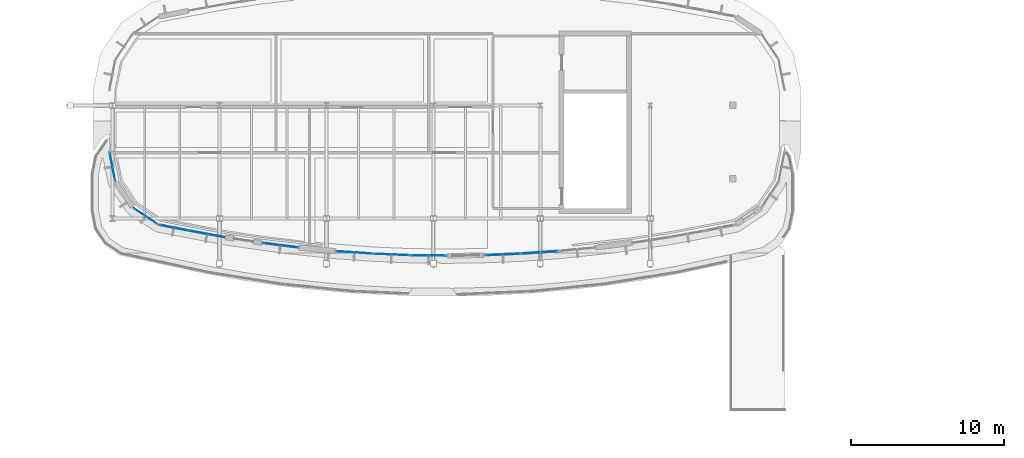
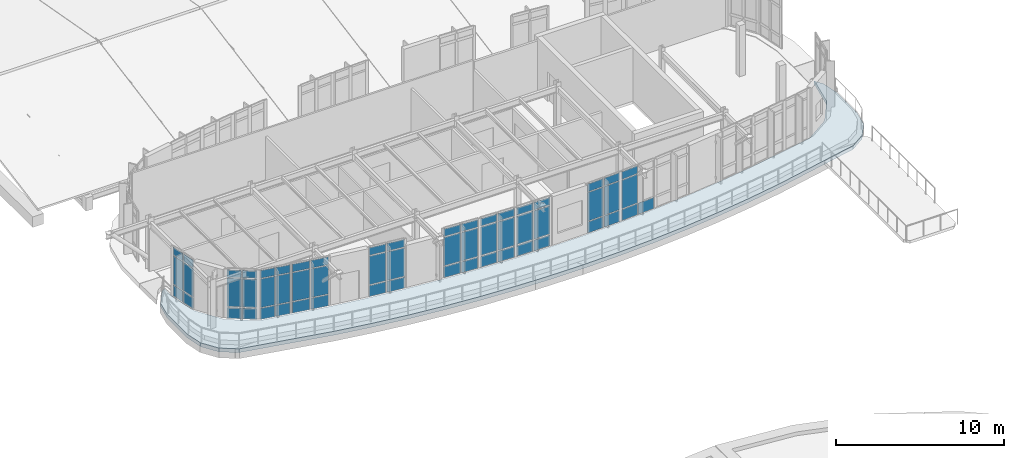
# One storey, part 66 of 105: 58 plates, 1 slab, 10 elements without a shape of their own.
"""IFC4 building model written with IfcOpenShell, lengths in metres."""

from ifc_helpers import new_model, si_unit, direction, frame, origin, origin_2d, place, context, subcontext, project, spatial, polyline, rectangle, outline, extrude, material, layer, layer_set, type_object, element, aggregate, save


model = new_model("IFC4")

# Units and contexts
model_context = context("Model", 3, precision=1e-05, world=origin(), true_north=direction((0.0, 1.0)))
body_context = subcontext(model_context, "Body", "Model", "MODEL_VIEW")
ifc_project = project(units=[si_unit("LENGTHUNIT", "METRE"), si_unit("AREAUNIT", "SQUARE_METRE"), si_unit("VOLUMEUNIT", "CUBIC_METRE"), si_unit("PLANEANGLEUNIT", "RADIAN"), si_unit("MASSUNIT", "GRAM", prefix="KILO")], contexts=[model_context])

# Site, building, storey
site_placement = place(None, origin())
site = spatial("IfcSite", under=ifc_project, at=site_placement, CompositionType="ELEMENT")
building_placement = place(site_placement, origin())
building = spatial("IfcBuilding", under=site, at=building_placement, Name="Corveleigh Park Community Centre", CompositionType="ELEMENT")
storey_placement = place(building_placement, frame((0.0, 0.0, 8.699951171875)))
storey = spatial("IfcBuildingStorey", under=building, at=storey_placement, Name="L02", CompositionType="ELEMENT", Elevation=8.699951171875)

# Curtain wall, plates
ifc_material_1 = material(Name="Anodised aluminium 6063-T6", Category="aluminium")
curtain_wall_type = type_object("IfcCurtainWallType", Name="CW-SYS-V2-HALL", PredefinedType="NOTDEFINED", material=ifc_material_1)
curtain_wall_1_placement = place(storey_placement, origin())
curtain_wall_1 = element("IfcCurtainWall", 1, at=curtain_wall_1_placement, inside=storey, type_object=curtain_wall_type, Name="V2 L02 Curtain Wall 301", PredefinedType="NOTDEFINED")
ifc_material_2 = material(Name="Low-E double glazing", Category="glass")
ifc_layer_1 = layer(ifc_material_2, 0.02392578125, Name="Low-E double glazing", Category="glass")
ifc_layer_set_1 = layer_set([ifc_layer_1], Name="Low-E double glazing")
plate_type_1 = type_object("IfcPlateType", Name="CWP-GLZ-24", PredefinedType="CURTAIN_PANEL", material=ifc_layer_set_1)
plate_1_placement = place(storey_placement, frame((17.959228515625, 76.87841796875, 0.06005859375), z_axis=(0.0, 0.0, 1.0), x_axis=(-0.983942713081, 0.178484557805, 0.0)))
plate_1 = element("IfcPlate", 2, at=plate_1_placement, type_object=plate_type_1, Name="CW04 panel 1.1", PredefinedType="CURTAIN_PANEL", context=body_context, shape_type="SweptSolid", body=[
    extrude(rectangle(XDim=1.117431640625, YDim=0.02392578125, at=origin_2d()), origin(), (0.0, 0.0, 1.0), 0.81005859375),
])
plate_2_placement = place(storey_placement, frame((17.959228515625, 76.87841796875, 0.93017578125), z_axis=(0.0, 0.0, 1.0), x_axis=(-0.983942713081, 0.178484557805, 0.0)))
plate_2 = element("IfcPlate", 3, at=plate_2_placement, type_object=plate_type_1, Name="CW04 panel 1.2", PredefinedType="CURTAIN_PANEL", context=body_context, shape_type="SweptSolid", body=[
    extrude(rectangle(XDim=1.117431640625, YDim=0.02392578125, at=origin_2d()), origin(), (0.0, 0.0, 1.0), 2.070068359375),
])
plate_3_placement = place(storey_placement, frame((17.959228515625, 76.87841796875, 3.06005859375), z_axis=(0.0, 0.0, 1.0), x_axis=(-0.983942713081, 0.178484557805, 0.0)))
plate_3 = element("IfcPlate", 4, at=plate_3_placement, type_object=plate_type_1, Name="CW04 panel 1.3", PredefinedType="CURTAIN_PANEL", context=body_context, shape_type="SweptSolid", body=[
    extrude(rectangle(XDim=1.117431640625, YDim=0.02392578125, at=origin_2d()), origin(), (0.0, 0.0, 1.0), 0.56005859375),
])
plate_4_placement = place(storey_placement, frame((16.80078125, 77.088623046875, 0.06005859375), z_axis=(0.0, 0.0, 1.0), x_axis=(-0.983942713081, 0.178484557805, 0.0)))
plate_4 = element("IfcPlate", 5, at=plate_4_placement, type_object=plate_type_1, Name="CW04 panel 2.1", PredefinedType="CURTAIN_PANEL", context=body_context, shape_type="SweptSolid", body=[
    extrude(rectangle(XDim=1.117431640625, YDim=0.02392578125, at=origin_2d()), origin(), (0.0, 0.0, 1.0), 0.81005859375),
])
plate_5_placement = place(storey_placement, frame((16.80078125, 77.088623046875, 0.93017578125), z_axis=(0.0, 0.0, 1.0), x_axis=(-0.983942713081, 0.178484557805, 0.0)))
plate_5 = element("IfcPlate", 6, at=plate_5_placement, type_object=plate_type_1, Name="CW04 panel 2.2", PredefinedType="CURTAIN_PANEL", context=body_context, shape_type="SweptSolid", body=[
    extrude(rectangle(XDim=1.117431640625, YDim=0.02392578125, at=origin_2d()), origin(), (0.0, 0.0, 1.0), 2.070068359375),
])
plate_6_placement = place(storey_placement, frame((16.80078125, 77.088623046875, 3.06005859375), z_axis=(0.0, 0.0, 1.0), x_axis=(-0.983942713081, 0.178484557805, 0.0)))
plate_6 = element("IfcPlate", 7, at=plate_6_placement, type_object=plate_type_1, Name="CW04 panel 2.3", PredefinedType="CURTAIN_PANEL", context=body_context, shape_type="SweptSolid", body=[
    extrude(rectangle(XDim=1.117431640625, YDim=0.02392578125, at=origin_2d()), origin(), (0.0, 0.0, 1.0), 0.56005859375),
])
aggregate(curtain_wall_1, [plate_1, plate_2, plate_3, plate_4, plate_5, plate_6])

curtain_wall_2_placement = place(storey_placement, origin())
curtain_wall_2 = element("IfcCurtainWall", 8, at=curtain_wall_2_placement, inside=storey, type_object=curtain_wall_type, Name="V2 L02 Curtain Wall 302", PredefinedType="NOTDEFINED")
plate_7_placement = place(storey_placement, frame((22.76904296875, 76.174072265625, 0.06494140625), z_axis=(0.0, 0.0, 1.0), x_axis=(-0.99224597481, 0.124289683694, 0.0)))
plate_7 = element("IfcPlate", 9, at=plate_7_placement, type_object=plate_type_1, Name="CW04 panel 1.1", PredefinedType="CURTAIN_PANEL", context=body_context, shape_type="SweptSolid", body=[
    extrude(rectangle(XDim=1.109375, YDim=0.02392578125, at=origin_2d()), origin(), (0.0, 0.0, 1.0), 0.802490234375),
])
plate_8_placement = place(storey_placement, frame((22.76904296875, 76.174072265625, 0.9326171875), z_axis=(0.0, 0.0, 1.0), x_axis=(-0.99224597481, 0.124289683694, 0.0)))
plate_8 = element("IfcPlate", 10, at=plate_8_placement, type_object=plate_type_1, Name="CW04 panel 1.2", PredefinedType="CURTAIN_PANEL", context=body_context, shape_type="SweptSolid", body=[
    extrude(rectangle(XDim=1.109375, YDim=0.02392578125, at=origin_2d()), origin(), (0.0, 0.0, 1.0), 2.06494140625),
])
plate_9_placement = place(storey_placement, frame((22.76904296875, 76.174072265625, 3.0625), z_axis=(0.0, 0.0, 1.0), x_axis=(-0.99224597481, 0.124289683694, 0.0)))
plate_9 = element("IfcPlate", 11, at=plate_9_placement, type_object=plate_type_1, Name="CW04 panel 1.3", PredefinedType="CURTAIN_PANEL", context=body_context, shape_type="SweptSolid", body=[
    extrude(rectangle(XDim=1.109375, YDim=0.02392578125, at=origin_2d()), origin(), (0.0, 0.0, 1.0), 0.552490234375),
])
plate_10_placement = place(storey_placement, frame((21.603759765625, 76.320068359375, 0.06494140625), z_axis=(0.0, 0.0, 1.0), x_axis=(-0.99224597481, 0.124289683694, 0.0)))
plate_10 = element("IfcPlate", 12, at=plate_10_placement, type_object=plate_type_1, Name="CW04 panel 2.1", PredefinedType="CURTAIN_PANEL", context=body_context, shape_type="SweptSolid", body=[
    extrude(rectangle(XDim=1.109375, YDim=0.02392578125, at=origin_2d()), origin(), (0.0, 0.0, 1.0), 0.802490234375),
])
plate_11_placement = place(storey_placement, frame((21.603759765625, 76.320068359375, 0.9326171875), z_axis=(0.0, 0.0, 1.0), x_axis=(-0.99224597481, 0.124289683694, 0.0)))
plate_11 = element("IfcPlate", 13, at=plate_11_placement, type_object=plate_type_1, Name="CW04 panel 2.2", PredefinedType="CURTAIN_PANEL", context=body_context, shape_type="SweptSolid", body=[
    extrude(rectangle(XDim=1.109375, YDim=0.02392578125, at=origin_2d()), origin(), (0.0, 0.0, 1.0), 2.06494140625),
])
plate_12_placement = place(storey_placement, frame((21.603759765625, 76.320068359375, 3.0625), z_axis=(0.0, 0.0, 1.0), x_axis=(-0.99224597481, 0.124289683694, 0.0)))
plate_12 = element("IfcPlate", 14, at=plate_12_placement, type_object=plate_type_1, Name="CW04 panel 2.3", PredefinedType="CURTAIN_PANEL", context=body_context, shape_type="SweptSolid", body=[
    extrude(rectangle(XDim=1.109375, YDim=0.02392578125, at=origin_2d()), origin(), (0.0, 0.0, 1.0), 0.552490234375),
])
aggregate(curtain_wall_2, [plate_7, plate_8, plate_9, plate_10, plate_11, plate_12])

curtain_wall_3_placement = place(storey_placement, origin())
curtain_wall_3 = element("IfcCurtainWall", 15, at=curtain_wall_3_placement, inside=storey, type_object=curtain_wall_type, Name="V2 L02 Curtain Wall 303", PredefinedType="NOTDEFINED")
ifc_layer_2 = layer(ifc_material_2, 0.028076171875, Name="Low-E double glazing", Category="glass")
ifc_layer_set_2 = layer_set([ifc_layer_2], Name="Low-E double glazing")
plate_type_2 = type_object("IfcPlateType", Name="CWP-GLZ-28", PredefinedType="CURTAIN_PANEL", material=ifc_layer_set_2)
plate_13_placement = place(storey_placement, frame((27.610595703125, 75.73779296875, 0.070068359375), z_axis=(0.0, 0.0, 1.0), x_axis=(-0.997632289197, 0.068773654486, 0.0)))
plate_13 = element("IfcPlate", 16, at=plate_13_placement, type_object=plate_type_2, Name="CW04 panel 1.1", PredefinedType="CURTAIN_PANEL", context=body_context, shape_type="SweptSolid", body=[
    extrude(rectangle(XDim=1.101806640625, YDim=0.028076171875, at=origin_2d()), origin(), (0.0, 0.0, 1.0), 0.794921875),
])
plate_14_placement = place(storey_placement, frame((27.610595703125, 75.73779296875, 0.93505859375), z_axis=(0.0, 0.0, 1.0), x_axis=(-0.997632289197, 0.068773654486, 0.0)))
plate_14 = element("IfcPlate", 17, at=plate_14_placement, type_object=plate_type_2, Name="CW04 panel 1.2", PredefinedType="CURTAIN_PANEL", context=body_context, shape_type="SweptSolid", body=[
    extrude(rectangle(XDim=1.101806640625, YDim=0.028076171875, at=origin_2d()), origin(), (0.0, 0.0, 1.0), 2.06005859375),
])
plate_15_placement = place(storey_placement, frame((27.610595703125, 75.73779296875, 3.065185546875), z_axis=(0.0, 0.0, 1.0), x_axis=(-0.997632289197, 0.068773654486, 0.0)))
plate_15 = element("IfcPlate", 18, at=plate_15_placement, type_object=plate_type_2, Name="CW04 panel 1.3", PredefinedType="CURTAIN_PANEL", context=body_context, shape_type="SweptSolid", body=[
    extrude(rectangle(XDim=1.101806640625, YDim=0.028076171875, at=origin_2d()), origin(), (0.0, 0.0, 1.0), 0.544921875),
])
plate_16_placement = place(storey_placement, frame((26.44140625, 75.818359375, 0.070068359375), z_axis=(0.0, 0.0, 1.0), x_axis=(-0.997632289197, 0.068773654486, 0.0)))
plate_16 = element("IfcPlate", 19, at=plate_16_placement, type_object=plate_type_2, Name="CW04 panel 2.1", PredefinedType="CURTAIN_PANEL", context=body_context, shape_type="SweptSolid", body=[
    extrude(rectangle(XDim=1.101806640625, YDim=0.028076171875, at=origin_2d()), origin(), (0.0, 0.0, 1.0), 0.794921875),
])
plate_17_placement = place(storey_placement, frame((26.44140625, 75.818359375, 0.93505859375), z_axis=(0.0, 0.0, 1.0), x_axis=(-0.997632289197, 0.068773654486, 0.0)))
plate_17 = element("IfcPlate", 20, at=plate_17_placement, type_object=plate_type_2, Name="CW04 panel 2.2", PredefinedType="CURTAIN_PANEL", context=body_context, shape_type="SweptSolid", body=[
    extrude(rectangle(XDim=1.101806640625, YDim=0.028076171875, at=origin_2d()), origin(), (0.0, 0.0, 1.0), 2.06005859375),
])
plate_18_placement = place(storey_placement, frame((26.44140625, 75.818359375, 3.065185546875), z_axis=(0.0, 0.0, 1.0), x_axis=(-0.997632289197, 0.068773654486, 0.0)))
plate_18 = element("IfcPlate", 21, at=plate_18_placement, type_object=plate_type_2, Name="CW04 panel 2.3", PredefinedType="CURTAIN_PANEL", context=body_context, shape_type="SweptSolid", body=[
    extrude(rectangle(XDim=1.101806640625, YDim=0.028076171875, at=origin_2d()), origin(), (0.0, 0.0, 1.0), 0.544921875),
])
aggregate(curtain_wall_3, [plate_13, plate_14, plate_15, plate_16, plate_17, plate_18])

curtain_wall_4_placement = place(storey_placement, origin())
curtain_wall_4 = element("IfcCurtainWall", 22, at=curtain_wall_4_placement, inside=storey, type_object=curtain_wall_type, Name="V2 L02 Curtain Wall 304", PredefinedType="NOTDEFINED")
plate_19_placement = place(storey_placement, frame((30.038330078125, 75.619140625, 0.074951171875), z_axis=(0.0, 0.0, 1.0), x_axis=(-0.99912443685, 0.041837300215, 0.0)))
plate_19 = element("IfcPlate", 23, at=plate_19_placement, type_object=plate_type_2, Name="CW04 panel 1.1", PredefinedType="CURTAIN_PANEL", context=body_context, shape_type="SweptSolid", body=[
    extrude(rectangle(XDim=1.094482421875, YDim=0.028076171875, at=origin_2d()), origin(), (0.0, 0.0, 1.0), 0.78759765625),
])
plate_20_placement = place(storey_placement, frame((30.038330078125, 75.619140625, 0.9375), z_axis=(0.0, 0.0, 1.0), x_axis=(-0.99912443685, 0.041837300215, 0.0)))
plate_20 = element("IfcPlate", 24, at=plate_20_placement, type_object=plate_type_2, Name="CW04 panel 1.2", PredefinedType="CURTAIN_PANEL", context=body_context, shape_type="SweptSolid", body=[
    extrude(rectangle(XDim=1.094482421875, YDim=0.028076171875, at=origin_2d()), origin(), (0.0, 0.0, 1.0), 2.054931640625),
])
plate_21_placement = place(storey_placement, frame((30.038330078125, 75.619140625, 3.0673828125), z_axis=(0.0, 0.0, 1.0), x_axis=(-0.99912443685, 0.041837300215, 0.0)))
plate_21 = element("IfcPlate", 25, at=plate_21_placement, type_object=plate_type_2, Name="CW04 panel 1.3", PredefinedType="CURTAIN_PANEL", context=body_context, shape_type="SweptSolid", body=[
    extrude(rectangle(XDim=1.094482421875, YDim=0.028076171875, at=origin_2d()), origin(), (0.0, 0.0, 1.0), 0.53759765625),
])
plate_22_placement = place(storey_placement, frame((28.86962890625, 75.66796875, 0.074951171875), z_axis=(0.0, 0.0, 1.0), x_axis=(-0.99912443685, 0.041837300215, 0.0)))
plate_22 = element("IfcPlate", 26, at=plate_22_placement, type_object=plate_type_2, Name="CW04 panel 2.1", PredefinedType="CURTAIN_PANEL", context=body_context, shape_type="SweptSolid", body=[
    extrude(rectangle(XDim=1.094482421875, YDim=0.028076171875, at=origin_2d()), origin(), (0.0, 0.0, 1.0), 0.78759765625),
])
plate_23_placement = place(storey_placement, frame((28.86962890625, 75.66796875, 0.9375), z_axis=(0.0, 0.0, 1.0), x_axis=(-0.99912443685, 0.041837300215, 0.0)))
plate_23 = element("IfcPlate", 27, at=plate_23_placement, type_object=plate_type_2, Name="CW04 panel 2.2", PredefinedType="CURTAIN_PANEL", context=body_context, shape_type="SweptSolid", body=[
    extrude(rectangle(XDim=1.094482421875, YDim=0.028076171875, at=origin_2d()), origin(), (0.0, 0.0, 1.0), 2.054931640625),
])
plate_24_placement = place(storey_placement, frame((28.86962890625, 75.66796875, 3.0673828125), z_axis=(0.0, 0.0, 1.0), x_axis=(-0.99912443685, 0.041837300215, 0.0)))
plate_24 = element("IfcPlate", 28, at=plate_24_placement, type_object=plate_type_2, Name="CW04 panel 2.3", PredefinedType="CURTAIN_PANEL", context=body_context, shape_type="SweptSolid", body=[
    extrude(rectangle(XDim=1.094482421875, YDim=0.028076171875, at=origin_2d()), origin(), (0.0, 0.0, 1.0), 0.53759765625),
])
aggregate(curtain_wall_4, [plate_19, plate_20, plate_21, plate_22, plate_23, plate_24])

curtain_wall_5_placement = place(storey_placement, origin())
curtain_wall_5 = element("IfcCurtainWall", 29, at=curtain_wall_5_placement, inside=storey, type_object=curtain_wall_type, Name="V2 L02 Curtain Wall 305", PredefinedType="NOTDEFINED")
ifc_layer_3 = layer(ifc_material_2, 0.031982421875, Name="Low-E double glazing", Category="glass")
ifc_layer_set_3 = layer_set([ifc_layer_3], Name="Low-E double glazing")
plate_type_3 = type_object("IfcPlateType", Name="CWP-GLZ-32", PredefinedType="CURTAIN_PANEL", material=ifc_layer_set_3)
plate_25_placement = place(storey_placement, frame((32.4677734375, 75.568603515625, 0.080078125), z_axis=(0.0, 0.0, 1.0), x_axis=(-0.999906497693, 0.013674643352, 0.0)))
plate_25 = element("IfcPlate", 30, at=plate_25_placement, type_object=plate_type_3, Name="CW04 panel 1.1", PredefinedType="CURTAIN_PANEL", context=body_context, shape_type="SweptSolid", body=[
    extrude(rectangle(XDim=1.086669921875, YDim=0.031982421875, at=origin_2d()), origin(), (0.0, 0.0, 1.0), 0.780029296875),
])
plate_26_placement = place(storey_placement, frame((32.4677734375, 75.568603515625, 0.93994140625), z_axis=(0.0, 0.0, 1.0), x_axis=(-0.999906497693, 0.013674643352, 0.0)))
plate_26 = element("IfcPlate", 31, at=plate_26_placement, type_object=plate_type_3, Name="CW04 panel 1.2", PredefinedType="CURTAIN_PANEL", context=body_context, shape_type="SweptSolid", body=[
    extrude(rectangle(XDim=1.086669921875, YDim=0.031982421875, at=origin_2d()), origin(), (0.0, 0.0, 1.0), 2.050048828125),
])
plate_27_placement = place(storey_placement, frame((32.4677734375, 75.568603515625, 3.06982421875), z_axis=(0.0, 0.0, 1.0), x_axis=(-0.999906497693, 0.013674643352, 0.0)))
plate_27 = element("IfcPlate", 32, at=plate_27_placement, type_object=plate_type_3, Name="CW04 panel 1.3", PredefinedType="CURTAIN_PANEL", context=body_context, shape_type="SweptSolid", body=[
    extrude(rectangle(XDim=1.086669921875, YDim=0.031982421875, at=origin_2d()), origin(), (0.0, 0.0, 1.0), 0.530029296875),
])
plate_28_placement = place(storey_placement, frame((31.30126953125, 75.58447265625, 0.080078125), z_axis=(0.0, 0.0, 1.0), x_axis=(-0.999906497693, 0.013674643352, 0.0)))
plate_28 = element("IfcPlate", 33, at=plate_28_placement, type_object=plate_type_3, Name="CW04 panel 2.1", PredefinedType="CURTAIN_PANEL", context=body_context, shape_type="SweptSolid", body=[
    extrude(rectangle(XDim=1.086669921875, YDim=0.031982421875, at=origin_2d()), origin(), (0.0, 0.0, 1.0), 0.780029296875),
])
plate_29_placement = place(storey_placement, frame((31.30126953125, 75.58447265625, 0.93994140625), z_axis=(0.0, 0.0, 1.0), x_axis=(-0.999906497693, 0.013674643352, 0.0)))
plate_29 = element("IfcPlate", 34, at=plate_29_placement, type_object=plate_type_3, Name="CW04 panel 2.2", PredefinedType="CURTAIN_PANEL", context=body_context, shape_type="SweptSolid", body=[
    extrude(rectangle(XDim=1.086669921875, YDim=0.031982421875, at=origin_2d()), origin(), (0.0, 0.0, 1.0), 2.050048828125),
])
plate_30_placement = place(storey_placement, frame((31.30126953125, 75.58447265625, 3.06982421875), z_axis=(0.0, 0.0, 1.0), x_axis=(-0.999906497693, 0.013674643352, 0.0)))
plate_30 = element("IfcPlate", 35, at=plate_30_placement, type_object=plate_type_3, Name="CW04 panel 2.3", PredefinedType="CURTAIN_PANEL", context=body_context, shape_type="SweptSolid", body=[
    extrude(rectangle(XDim=1.086669921875, YDim=0.031982421875, at=origin_2d()), origin(), (0.0, 0.0, 1.0), 0.530029296875),
])
aggregate(curtain_wall_5, [plate_25, plate_26, plate_27, plate_28, plate_29, plate_30])

curtain_wall_6_placement = place(storey_placement, origin())
curtain_wall_6 = element("IfcCurtainWall", 36, at=curtain_wall_6_placement, inside=storey, type_object=curtain_wall_type, Name="V2 L02 Curtain Wall 306", PredefinedType="NOTDEFINED")
plate_31_placement = place(storey_placement, frame((37.327880859375, 75.66796875, 0.06005859375), z_axis=(0.0, 0.0, 1.0), x_axis=(-0.99912443685, -0.041837300215, 0.0)))
plate_31 = element("IfcPlate", 37, at=plate_31_placement, type_object=plate_type_3, Name="CW04 panel 1.1", PredefinedType="CURTAIN_PANEL", context=body_context, shape_type="SweptSolid", body=[
    extrude(rectangle(XDim=1.07958984375, YDim=0.031982421875, at=origin_2d()), origin(), (0.0, 0.0, 1.0), 0.81005859375),
])
plate_32_placement = place(storey_placement, frame((37.327880859375, 75.66796875, 0.93017578125), z_axis=(0.0, 0.0, 1.0), x_axis=(-0.99912443685, -0.041837300215, 0.0)))
plate_32 = element("IfcPlate", 38, at=plate_32_placement, type_object=plate_type_3, Name="CW04 panel 1.2", PredefinedType="CURTAIN_PANEL", context=body_context, shape_type="SweptSolid", body=[
    extrude(rectangle(XDim=1.07958984375, YDim=0.031982421875, at=origin_2d()), origin(), (0.0, 0.0, 1.0), 2.070068359375),
])
plate_33_placement = place(storey_placement, frame((37.327880859375, 75.66796875, 3.06005859375), z_axis=(0.0, 0.0, 1.0), x_axis=(-0.99912443685, -0.041837300215, 0.0)))
plate_33 = element("IfcPlate", 39, at=plate_33_placement, type_object=plate_type_3, Name="CW04 panel 1.3", PredefinedType="CURTAIN_PANEL", context=body_context, shape_type="SweptSolid", body=[
    extrude(rectangle(XDim=1.07958984375, YDim=0.031982421875, at=origin_2d()), origin(), (0.0, 0.0, 1.0), 0.56005859375),
])
plate_34_placement = place(storey_placement, frame((36.164306640625, 75.619140625, 0.06005859375), z_axis=(0.0, 0.0, 1.0), x_axis=(-0.99912443685, -0.041837300215, 0.0)))
plate_34 = element("IfcPlate", 40, at=plate_34_placement, type_object=plate_type_3, Name="CW04 panel 2.1", PredefinedType="CURTAIN_PANEL", context=body_context, shape_type="SweptSolid", body=[
    extrude(rectangle(XDim=1.07958984375, YDim=0.031982421875, at=origin_2d()), origin(), (0.0, 0.0, 1.0), 0.81005859375),
])
plate_35_placement = place(storey_placement, frame((36.164306640625, 75.619140625, 0.93017578125), z_axis=(0.0, 0.0, 1.0), x_axis=(-0.99912443685, -0.041837300215, 0.0)))
plate_35 = element("IfcPlate", 41, at=plate_35_placement, type_object=plate_type_3, Name="CW04 panel 2.2", PredefinedType="CURTAIN_PANEL", context=body_context, shape_type="SweptSolid", body=[
    extrude(rectangle(XDim=1.07958984375, YDim=0.031982421875, at=origin_2d()), origin(), (0.0, 0.0, 1.0), 2.070068359375),
])
plate_36_placement = place(storey_placement, frame((36.164306640625, 75.619140625, 3.06005859375), z_axis=(0.0, 0.0, 1.0), x_axis=(-0.99912443685, -0.041837300215, 0.0)))
plate_36 = element("IfcPlate", 42, at=plate_36_placement, type_object=plate_type_3, Name="CW04 panel 2.3", PredefinedType="CURTAIN_PANEL", context=body_context, shape_type="SweptSolid", body=[
    extrude(rectangle(XDim=1.07958984375, YDim=0.031982421875, at=origin_2d()), origin(), (0.0, 0.0, 1.0), 0.56005859375),
])
aggregate(curtain_wall_6, [plate_31, plate_32, plate_33, plate_34, plate_35, plate_36])

curtain_wall_7_placement = place(storey_placement, origin())
curtain_wall_7 = element("IfcCurtainWall", 43, at=curtain_wall_7_placement, inside=storey, type_object=curtain_wall_type, Name="V2 L02 Curtain Wall 329", PredefinedType="NOTDEFINED")
plate_37_placement = place(storey_placement, frame((11.286865234375, 80.942626953125, 0.074951171875), z_axis=(0.0, 0.0, 1.0), x_axis=(-0.195033154312, 0.980796650035, 0.0)))
plate_37 = element("IfcPlate", 44, at=plate_37_placement, type_object=plate_type_3, Name="CW04 panel 1.1", PredefinedType="CURTAIN_PANEL", context=body_context, shape_type="SweptSolid", body=[
    extrude(rectangle(XDim=0.856689453125, YDim=0.031982421875, at=origin_2d()), origin(), (0.0, 0.0, 1.0), 0.78759765625),
])
plate_38_placement = place(storey_placement, frame((11.286865234375, 80.942626953125, 0.9375), z_axis=(0.0, 0.0, 1.0), x_axis=(-0.195033154312, 0.980796650035, 0.0)))
plate_38 = element("IfcPlate", 45, at=plate_38_placement, type_object=plate_type_3, Name="CW04 panel 1.2", PredefinedType="CURTAIN_PANEL", context=body_context, shape_type="SweptSolid", body=[
    extrude(rectangle(XDim=0.856689453125, YDim=0.031982421875, at=origin_2d()), origin(), (0.0, 0.0, 1.0), 2.054931640625),
])
plate_39_placement = place(storey_placement, frame((11.286865234375, 80.942626953125, 3.0673828125), z_axis=(0.0, 0.0, 1.0), x_axis=(-0.195033154312, 0.980796650035, 0.0)))
plate_39 = element("IfcPlate", 46, at=plate_39_placement, type_object=plate_type_3, Name="CW04 panel 1.3", PredefinedType="CURTAIN_PANEL", context=body_context, shape_type="SweptSolid", body=[
    extrude(rectangle(XDim=0.856689453125, YDim=0.031982421875, at=origin_2d()), origin(), (0.0, 0.0, 1.0), 0.53759765625),
])
plate_40_placement = place(storey_placement, frame((11.104248046875, 81.861328125, 0.074951171875), z_axis=(0.0, 0.0, 1.0), x_axis=(-0.195033154312, 0.980796650035, 0.0)))
plate_40 = element("IfcPlate", 47, at=plate_40_placement, type_object=plate_type_3, Name="CW04 panel 2.1", PredefinedType="CURTAIN_PANEL", context=body_context, shape_type="SweptSolid", body=[
    extrude(rectangle(XDim=0.856689453125, YDim=0.031982421875, at=origin_2d()), origin(), (0.0, 0.0, 1.0), 0.78759765625),
])
plate_41_placement = place(storey_placement, frame((11.104248046875, 81.861328125, 0.9375), z_axis=(0.0, 0.0, 1.0), x_axis=(-0.195033154312, 0.980796650035, 0.0)))
plate_41 = element("IfcPlate", 48, at=plate_41_placement, type_object=plate_type_3, Name="CW04 panel 2.2", PredefinedType="CURTAIN_PANEL", context=body_context, shape_type="SweptSolid", body=[
    extrude(rectangle(XDim=0.856689453125, YDim=0.031982421875, at=origin_2d()), origin(), (0.0, 0.0, 1.0), 2.054931640625),
])
plate_42_placement = place(storey_placement, frame((11.104248046875, 81.861328125, 3.0673828125), z_axis=(0.0, 0.0, 1.0), x_axis=(-0.195033154312, 0.980796650035, 0.0)))
plate_42 = element("IfcPlate", 49, at=plate_42_placement, type_object=plate_type_3, Name="CW04 panel 2.3", PredefinedType="CURTAIN_PANEL", context=body_context, shape_type="SweptSolid", body=[
    extrude(rectangle(XDim=0.856689453125, YDim=0.031982421875, at=origin_2d()), origin(), (0.0, 0.0, 1.0), 0.53759765625),
])
aggregate(curtain_wall_7, [plate_37, plate_38, plate_39, plate_40, plate_41, plate_42])

curtain_wall_8_placement = place(storey_placement, origin())
curtain_wall_8 = element("IfcCurtainWall", 50, at=curtain_wall_8_placement, inside=storey, type_object=curtain_wall_type, Name="V2 L02 Curtain Wall 330", PredefinedType="NOTDEFINED")
plate_43_placement = place(storey_placement, frame((13.743408203125, 77.900146484375, 0.080078125), z_axis=(0.0, 0.0, 1.0), x_axis=(-0.831811465407, 0.555058272633, 0.0)))
plate_43 = element("IfcPlate", 51, at=plate_43_placement, type_object=plate_type_3, Name="CW04 panel 1.1", PredefinedType="CURTAIN_PANEL", context=body_context, shape_type="SweptSolid", body=[
    extrude(rectangle(XDim=0.839111328125, YDim=0.031982421875, at=origin_2d()), origin(), (0.0, 0.0, 1.0), 0.780029296875),
])
plate_44_placement = place(storey_placement, frame((13.743408203125, 77.900146484375, 0.93994140625), z_axis=(0.0, 0.0, 1.0), x_axis=(-0.831811465407, 0.555058272633, 0.0)))
plate_44 = element("IfcPlate", 52, at=plate_44_placement, type_object=plate_type_3, Name="CW04 panel 1.2", PredefinedType="CURTAIN_PANEL", context=body_context, shape_type="SweptSolid", body=[
    extrude(rectangle(XDim=0.839111328125, YDim=0.031982421875, at=origin_2d()), origin(), (0.0, 0.0, 1.0), 2.050048828125),
])
plate_45_placement = place(storey_placement, frame((13.743408203125, 77.900146484375, 3.06982421875), z_axis=(0.0, 0.0, 1.0), x_axis=(-0.831811465407, 0.555058272633, 0.0)))
plate_45 = element("IfcPlate", 53, at=plate_45_placement, type_object=plate_type_3, Name="CW04 panel 1.3", PredefinedType="CURTAIN_PANEL", context=body_context, shape_type="SweptSolid", body=[
    extrude(rectangle(XDim=0.839111328125, YDim=0.031982421875, at=origin_2d()), origin(), (0.0, 0.0, 1.0), 0.530029296875),
])
plate_46_placement = place(storey_placement, frame((12.974609375, 78.412841796875, 0.080078125), z_axis=(0.0, 0.0, 1.0), x_axis=(-0.831811465407, 0.555058272633, 0.0)))
plate_46 = element("IfcPlate", 54, at=plate_46_placement, type_object=plate_type_3, Name="CW04 panel 2.1", PredefinedType="CURTAIN_PANEL", context=body_context, shape_type="SweptSolid", body=[
    extrude(rectangle(XDim=0.839111328125, YDim=0.031982421875, at=origin_2d()), origin(), (0.0, 0.0, 1.0), 0.780029296875),
])
plate_47_placement = place(storey_placement, frame((12.974609375, 78.412841796875, 0.93994140625), z_axis=(0.0, 0.0, 1.0), x_axis=(-0.831811465407, 0.555058272633, 0.0)))
plate_47 = element("IfcPlate", 55, at=plate_47_placement, type_object=plate_type_3, Name="CW04 panel 2.2", PredefinedType="CURTAIN_PANEL", context=body_context, shape_type="SweptSolid", body=[
    extrude(rectangle(XDim=0.839111328125, YDim=0.031982421875, at=origin_2d()), origin(), (0.0, 0.0, 1.0), 2.050048828125),
])
plate_48_placement = place(storey_placement, frame((12.974609375, 78.412841796875, 3.06982421875), z_axis=(0.0, 0.0, 1.0), x_axis=(-0.831811465407, 0.555058272633, 0.0)))
plate_48 = element("IfcPlate", 56, at=plate_48_placement, type_object=plate_type_3, Name="CW04 panel 2.3", PredefinedType="CURTAIN_PANEL", context=body_context, shape_type="SweptSolid", body=[
    extrude(rectangle(XDim=0.839111328125, YDim=0.031982421875, at=origin_2d()), origin(), (0.0, 0.0, 1.0), 0.530029296875),
])
aggregate(curtain_wall_8, [plate_43, plate_44, plate_45, plate_46, plate_47, plate_48])

curtain_wall_9_placement = place(storey_placement, origin())
curtain_wall_9 = element("IfcCurtainWall", 57, at=curtain_wall_9_placement, inside=storey, type_object=curtain_wall_type, Name="V2 L02 Curtain Wall 307", PredefinedType="NOTDEFINED")
ifc_layer_4 = layer(ifc_material_2, 0.035888671875, Name="Low-E double glazing", Category="glass")
ifc_layer_set_4 = layer_set([ifc_layer_4], Name="Low-E double glazing")
plate_type_4 = type_object("IfcPlateType", Name="CWP-GLZ-36", PredefinedType="CURTAIN_PANEL", material=ifc_layer_set_4)
plate_49_placement = place(storey_placement, frame((39.760986328125, 75.818359375, 0.06494140625), z_axis=(0.0, 0.0, 1.0), x_axis=(-0.997632289197, -0.068773654486, 0.0)))
plate_49 = element("IfcPlate", 58, at=plate_49_placement, type_object=plate_type_4, Name="CW04 panel 1.1", PredefinedType="CURTAIN_PANEL", context=body_context, shape_type="SweptSolid", body=[
    extrude(rectangle(XDim=1.116943359375, YDim=0.035888671875, at=origin_2d()), origin(), (0.0, 0.0, 1.0), 0.802490234375),
])
plate_50_placement = place(storey_placement, frame((38.5869140625, 75.737548828125, 0.06494140625), z_axis=(0.0, 0.0, 1.0), x_axis=(-0.997632289197, -0.068773654486, 0.0)))
plate_50 = element("IfcPlate", 59, at=plate_50_placement, type_object=plate_type_4, Name="CW04 panel 2.1", PredefinedType="CURTAIN_PANEL", context=body_context, shape_type="SweptSolid", body=[
    extrude(rectangle(XDim=1.116943359375, YDim=0.035888671875, at=origin_2d()), origin(), (0.0, 0.0, 1.0), 0.802490234375),
])
plate_51_placement = place(storey_placement, frame((38.5869140625, 75.737548828125, 0.9326171875), z_axis=(0.0, 0.0, 1.0), x_axis=(-0.997632289197, -0.068773654486, 0.0)))
plate_51 = element("IfcPlate", 60, at=plate_51_placement, type_object=plate_type_4, Name="CW04 panel 2.2", PredefinedType="CURTAIN_PANEL", context=body_context, shape_type="SweptSolid", body=[
    extrude(rectangle(XDim=1.116943359375, YDim=0.035888671875, at=origin_2d()), origin(), (0.0, 0.0, 1.0), 2.06494140625),
])
plate_52_placement = place(storey_placement, frame((38.5869140625, 75.737548828125, 3.0625), z_axis=(0.0, 0.0, 1.0), x_axis=(-0.997632289197, -0.068773654486, 0.0)))
plate_52 = element("IfcPlate", 61, at=plate_52_placement, type_object=plate_type_4, Name="CW04 panel 2.3", PredefinedType="CURTAIN_PANEL", context=body_context, shape_type="SweptSolid", body=[
    extrude(rectangle(XDim=1.116943359375, YDim=0.035888671875, at=origin_2d()), origin(), (0.0, 0.0, 1.0), 0.552490234375),
])
aggregate(curtain_wall_9, [plate_49, plate_50, plate_51, plate_52])

curtain_wall_10_placement = place(storey_placement, origin())
curtain_wall_10 = element("IfcCurtainWall", 62, at=curtain_wall_10_placement, inside=storey, type_object=curtain_wall_type, Name="V2 L02 Curtain Wall 331", PredefinedType="NOTDEFINED")
plate_53_placement = place(storey_placement, frame((15.67822265625, 77.301025390625, 0.06005859375), z_axis=(0.0, 0.0, 1.0), x_axis=(-0.980814284082, 0.194944453986, 0.0)))
plate_53 = element("IfcPlate", 63, at=plate_53_placement, type_object=plate_type_4, Name="CW04 panel 1.1", PredefinedType="CURTAIN_PANEL", context=body_context, shape_type="SweptSolid", body=[
    extrude(rectangle(XDim=0.894775390625, YDim=0.035888671875, at=origin_2d()), origin(), (0.0, 0.0, 1.0), 0.81005859375),
])
plate_54_placement = place(storey_placement, frame((15.67822265625, 77.301025390625, 0.93017578125), z_axis=(0.0, 0.0, 1.0), x_axis=(-0.980814284082, 0.194944453986, 0.0)))
plate_54 = element("IfcPlate", 64, at=plate_54_placement, type_object=plate_type_4, Name="CW04 panel 1.2", PredefinedType="CURTAIN_PANEL", context=body_context, shape_type="SweptSolid", body=[
    extrude(rectangle(XDim=0.894775390625, YDim=0.035888671875, at=origin_2d()), origin(), (0.0, 0.0, 1.0), 2.070068359375),
])
plate_55_placement = place(storey_placement, frame((15.67822265625, 77.301025390625, 3.06005859375), z_axis=(0.0, 0.0, 1.0), x_axis=(-0.980814284082, 0.194944453986, 0.0)))
plate_55 = element("IfcPlate", 65, at=plate_55_placement, type_object=plate_type_4, Name="CW04 panel 1.3", PredefinedType="CURTAIN_PANEL", context=body_context, shape_type="SweptSolid", body=[
    extrude(rectangle(XDim=0.894775390625, YDim=0.035888671875, at=origin_2d()), origin(), (0.0, 0.0, 1.0), 0.56005859375),
])
plate_56_placement = place(storey_placement, frame((14.74169921875, 77.487060546875, 0.06005859375), z_axis=(0.0, 0.0, 1.0), x_axis=(-0.980814284082, 0.194944453986, 0.0)))
plate_56 = element("IfcPlate", 66, at=plate_56_placement, type_object=plate_type_4, Name="CW04 panel 2.1", PredefinedType="CURTAIN_PANEL", context=body_context, shape_type="SweptSolid", body=[
    extrude(rectangle(XDim=0.894775390625, YDim=0.035888671875, at=origin_2d()), origin(), (0.0, 0.0, 1.0), 0.81005859375),
])
plate_57_placement = place(storey_placement, frame((14.74169921875, 77.487060546875, 0.93017578125), z_axis=(0.0, 0.0, 1.0), x_axis=(-0.980814284082, 0.194944453986, 0.0)))
plate_57 = element("IfcPlate", 67, at=plate_57_placement, type_object=plate_type_4, Name="CW04 panel 2.2", PredefinedType="CURTAIN_PANEL", context=body_context, shape_type="SweptSolid", body=[
    extrude(rectangle(XDim=0.894775390625, YDim=0.035888671875, at=origin_2d()), origin(), (0.0, 0.0, 1.0), 2.070068359375),
])
plate_58_placement = place(storey_placement, frame((14.74169921875, 77.487060546875, 3.06005859375), z_axis=(0.0, 0.0, 1.0), x_axis=(-0.980814284082, 0.194944453986, 0.0)))
plate_58 = element("IfcPlate", 68, at=plate_58_placement, type_object=plate_type_4, Name="CW04 panel 2.3", PredefinedType="CURTAIN_PANEL", context=body_context, shape_type="SweptSolid", body=[
    extrude(rectangle(XDim=0.894775390625, YDim=0.035888671875, at=origin_2d()), origin(), (0.0, 0.0, 1.0), 0.56005859375),
])
aggregate(curtain_wall_10, [plate_53, plate_54, plate_55, plate_56, plate_57, plate_58])

# Slab
ifc_material_3 = material(Name="Concrete C32/40", Category="concrete")
ifc_layer_5 = layer(ifc_material_3, 0.27197265625, Name="Concrete C32/40", Category="concrete")
ifc_layer_set_5 = layer_set([ifc_layer_5], Name="Concrete C32/40")
slab_type = type_object("IfcSlabType", Name="SLB-TER-272", PredefinedType="FLOOR", material=ifc_layer_set_5)
slab_placement = place(storey_placement, frame((0.0, 0.0, -0.27197265625)))
element("IfcSlab", 69, at=slab_placement, inside=storey, type_object=slab_type, Name="Sports Studio Courtyard Terrace bay 1", PredefinedType="FLOOR", context=body_context, shape_type="SweptSolid", body=[
    extrude(outline(polyline([(55.56396484375, 82.089111328125), (55.800048828125, 80.904052734375), (55.80810546875, 80.10107421875), (55.800048828125, 78.49609375), (55.56396484375, 77.31103515625), (54.89306640625, 76.306884765625), (53.888916015625, 75.635986328125), (48.0849609375, 74.384033203125), (45.7548828125, 73.97607421875), (43.4140625, 73.635009765625), (41.06494140625, 73.363037109375), (38.7080078125, 73.157958984375), (36.346923828125, 73.02197265625), (33.98291015625, 72.952880859375), (31.616943359375, 72.952880859375), (29.2529296875, 73.02197265625), (26.89208984375, 73.157958984375), (24.534912109375, 73.363037109375), (22.18603515625, 73.635009765625), (19.844970703125, 73.97607421875), (17.514892578125, 74.384033203125), (11.7109375, 75.635986328125), (10.70703125, 76.306884765625), (10.035888671875, 77.31103515625), (9.800048828125, 78.49609375), (9.800048828125, 80.904052734375), (10.035888671875, 82.089111328125), (10.70703125, 83.093017578125), (10.971923828125, 83.27001953125), (10.985107421875, 82.382080078125), (11.382080078125, 80.39306640625), (12.507080078125, 78.70703125), (14.196044921875, 77.5810546875), (18.573974609375, 76.7509765625), (20.97802734375, 76.383056640625), (23.39208984375, 76.0810546875), (25.81201171875, 75.846923828125), (28.238037109375, 75.678955078125), (30.6689453125, 75.577880859375), (33.10009765625, 75.544921875), (35.531005859375, 75.577880859375), (37.9619140625, 75.678955078125), (40.387939453125, 75.846923828125), (42.80908203125, 76.0810546875), (45.221923828125, 76.383056640625), (47.6259765625, 76.7509765625), (52.006103515625, 77.5810546875), (53.694091796875, 78.7080078125), (54.819091796875, 80.39404296875), (55.215087890625, 82.381103515625), (55.218017578125, 82.60595703125), (55.56396484375, 82.089111328125)])), origin(), (0.0, 0.0, 1.0), 0.27197265625),
])

save(model, "model.ifc")
